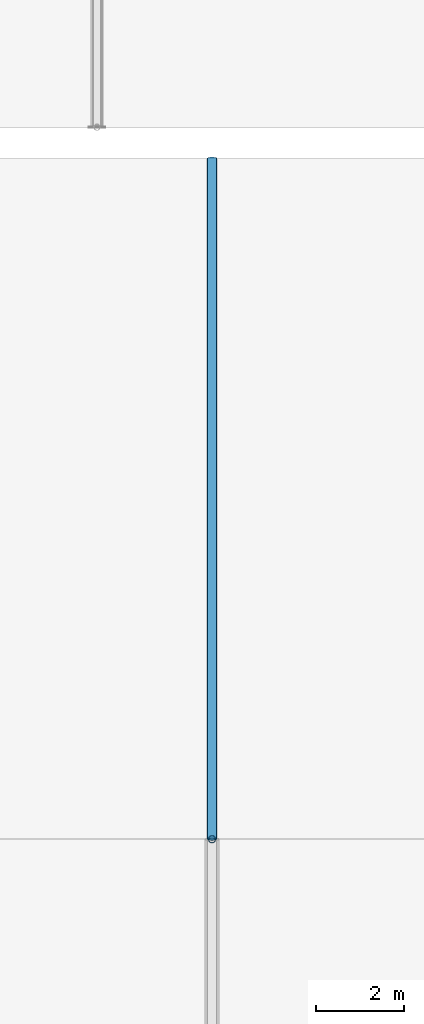
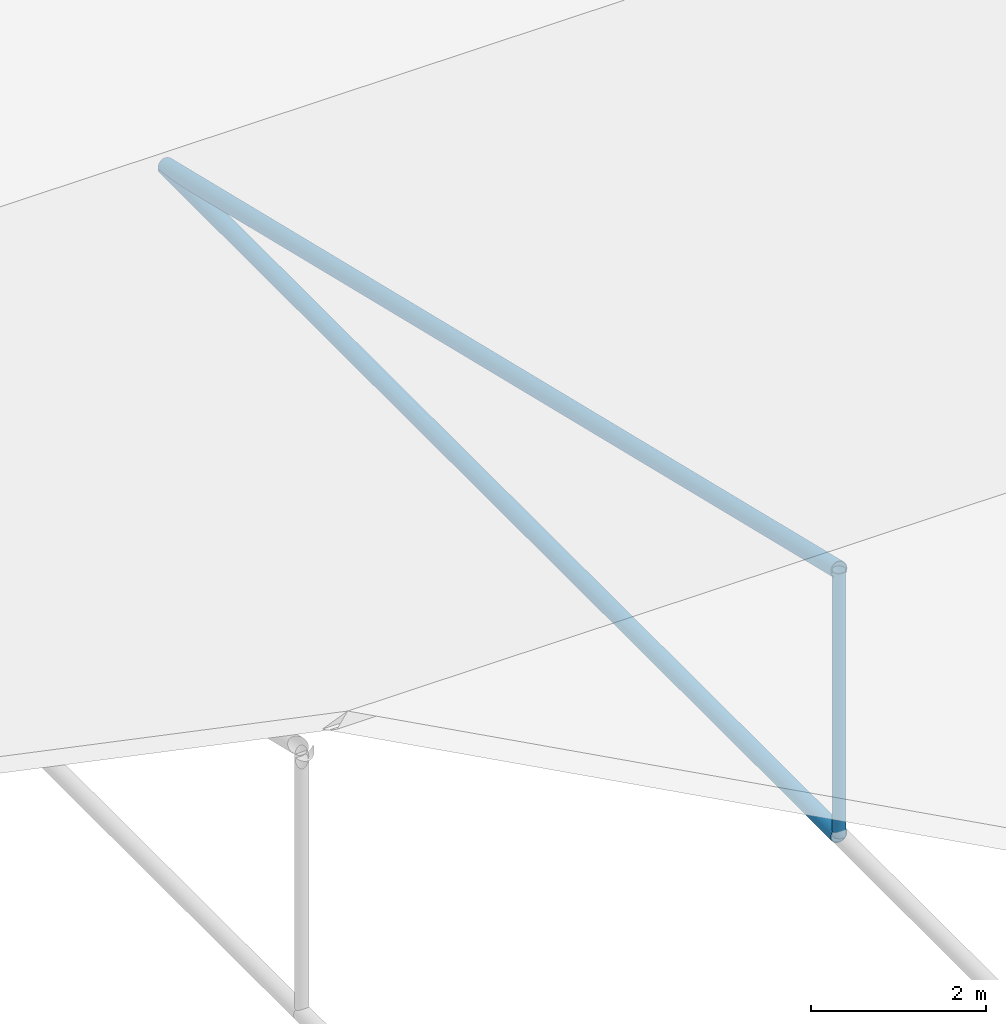
# One storey, part 66 of 194: 3 members.
"""IFC4 building model written with IfcOpenShell, lengths in metres."""

from ifc_helpers import new_model, si_unit, direction, frame, origin, origin_2d, place, context, subcontext, project, spatial, hollow_circle, extrude, material, material_profile, profile_set, type_object, element, save


model = new_model("IFC4")

# Units and contexts
model_context = context("Model", 3, precision=1e-05, world=origin(), true_north=direction((0.0, 1.0)))
body_context = subcontext(model_context, "Body", "Model", "MODEL_VIEW")
ifc_project = project(units=[si_unit("LENGTHUNIT", "METRE"), si_unit("AREAUNIT", "SQUARE_METRE"), si_unit("VOLUMEUNIT", "CUBIC_METRE"), si_unit("PLANEANGLEUNIT", "RADIAN"), si_unit("MASSUNIT", "GRAM", prefix="KILO")], contexts=[model_context])

# Site, building, storey
site_placement = place(None, origin())
site = spatial("IfcSite", under=ifc_project, at=site_placement, CompositionType="ELEMENT")
building_placement = place(site_placement, origin())
building = spatial("IfcBuilding", under=site, at=building_placement, Name="Kazenagashi Tramway Depot", CompositionType="ELEMENT")
storey_placement = place(building_placement, frame((0.0, 0.0, 23.7)))
storey = spatial("IfcBuildingStorey", under=building, at=storey_placement, Name="ROOF", CompositionType="ELEMENT", Elevation=23.7)

# Members
ifc_material = material(Name="Steel STK490", Category="steel")
ifc_material_profile_1 = material_profile(ifc_material, hollow_circle(Radius=0.10815, WallThickness=0.0082, at=origin_2d()), Name="CHS-216.3x8.2")
ifc_profile_set_1 = profile_set([ifc_material_profile_1], Name="Steel STK490")
member_type_1 = type_object("IfcMemberType", Name="TC-02", PredefinedType="CHORD", material=ifc_profile_set_1)
member_1_placement = place(storey_placement, frame((181.8, 53.9, -4.9), z_axis=(0.0, 0.972329961031, -0.233611743884), x_axis=(-1.0, 0.0, 0.0)))
element("IfcMember", 1, at=member_1_placement, inside=storey, type_object=member_type_1, Name="Roof Truss TC-02 MEM-1543", PredefinedType="CHORD", context=body_context, shape_type="SweptSolid", body=[
    extrude(hollow_circle(Radius=0.10815, WallThickness=0.0082, at=origin_2d()), origin(), (0.0, 0.0, 1.0), 15.838245),
])
member_2_placement = place(storey_placement, frame((181.8, 53.9, -8.6), z_axis=(0.0, 1.0, 0.0), x_axis=(-1.0, 0.0, 0.0)))
element("IfcMember", 2, at=member_2_placement, inside=storey, type_object=member_type_1, Name="Roof Truss TC-02 MEM-1545", PredefinedType="CHORD", context=body_context, shape_type="SweptSolid", body=[
    extrude(hollow_circle(Radius=0.10815, WallThickness=0.0082, at=origin_2d()), origin(), (0.0, 0.0, 1.0), 15.4),
])
ifc_material_profile_2 = material_profile(ifc_material, hollow_circle(Radius=0.0826, WallThickness=0.0071, at=origin_2d()), Name="CHS-165.2x7.1")
ifc_profile_set_2 = profile_set([ifc_material_profile_2], Name="Steel STK490")
member_type_2 = type_object("IfcMemberType", Name="TS-01", PredefinedType="STRUT", material=ifc_profile_set_2)
member_3_placement = place(storey_placement, frame((181.8, 53.9, -8.6), z_axis=(0.0, 0.0, 1.0), x_axis=(1.0, 0.0, 0.0)))
element("IfcMember", 3, at=member_3_placement, inside=storey, type_object=member_type_2, Name="Roof Truss TS-01 MEM-1546", PredefinedType="STRUT", context=body_context, shape_type="SweptSolid", body=[
    extrude(hollow_circle(Radius=0.0826, WallThickness=0.0071, at=origin_2d()), origin(), (0.0, 0.0, 1.0), 3.7),
])

save(model, "model.ifc")
